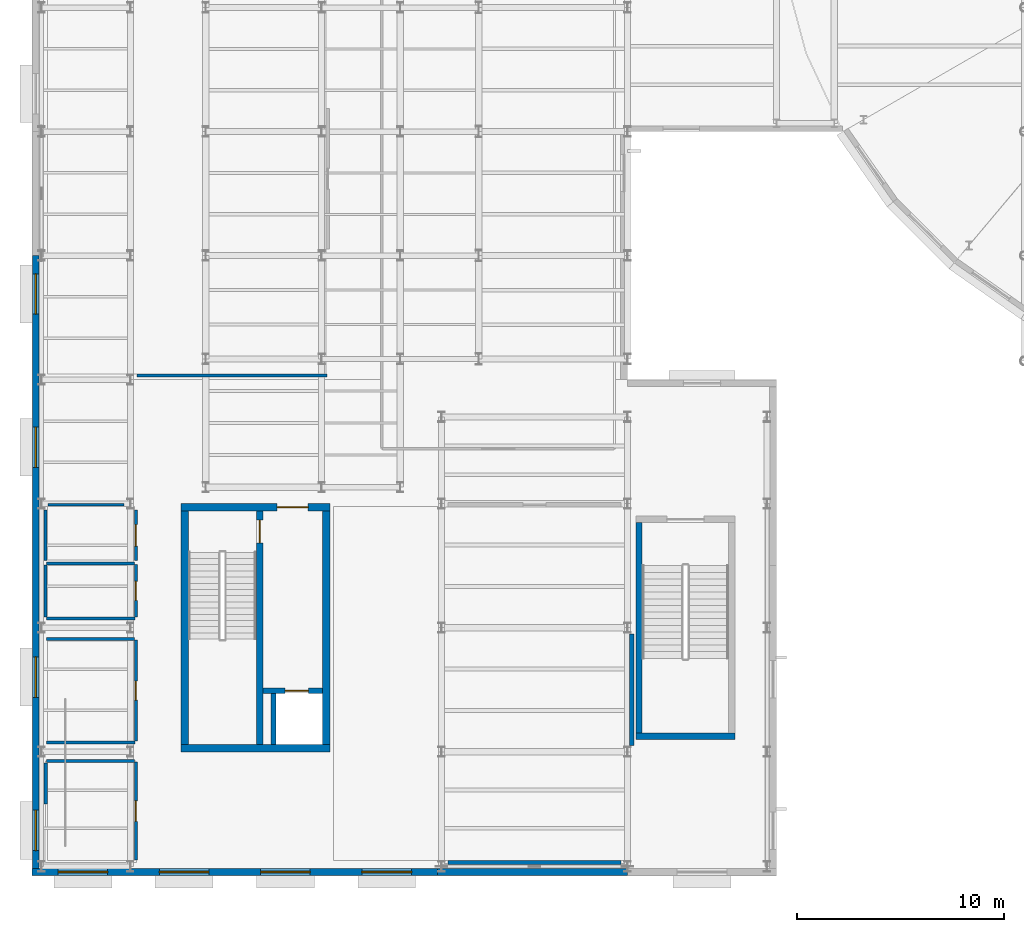
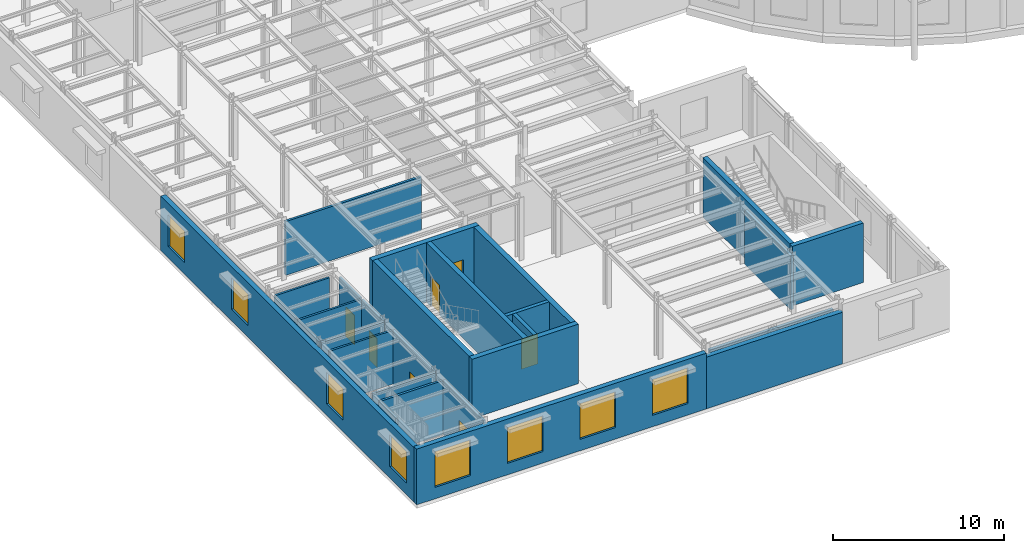
# One storey, part 63 of 91: 28 walls, 8 windows, 7 doors, 15 openings.
"""IFC4 building model written with IfcOpenShell, lengths in metres."""

from ifc_helpers import new_model, si_unit, direction, frame, frame_2d, origin, place, context, subcontext, project, spatial, rectangle, extrude, material, layer, layer_set, type_object, element, fill, save


model = new_model("IFC4")

# Units and contexts
model_context = context("Model", 3, precision=1e-05, world=origin(), true_north=direction((0.0, 1.0)))
body_context = subcontext(model_context, "Body", "Model", "MODEL_VIEW")
ifc_project = project(units=[si_unit("LENGTHUNIT", "METRE"), si_unit("AREAUNIT", "SQUARE_METRE"), si_unit("VOLUMEUNIT", "CUBIC_METRE"), si_unit("PLANEANGLEUNIT", "RADIAN"), si_unit("MASSUNIT", "GRAM", prefix="KILO")], contexts=[model_context])

# Site, building, storey
site_placement = place(None, origin())
site = spatial("IfcSite", under=ifc_project, at=site_placement, CompositionType="ELEMENT")
building_placement = place(site_placement, origin())
building = spatial("IfcBuilding", under=site, at=building_placement, Name="Kolvaren Corner Interchange", CompositionType="ELEMENT")
storey_placement = place(building_placement, frame((0.0, 0.0, 6.0)))
storey = spatial("IfcBuildingStorey", under=building, at=storey_placement, Name="L02", CompositionType="ELEMENT", Elevation=6.0)

# Wall
ifc_material_1 = material(Name="Concrete C35/45", Category="concrete")
ifc_layer_1 = layer(ifc_material_1, 0.35009765625)
ifc_layer_set_1 = layer_set([ifc_layer_1], Name="Concrete C35/45")
wall_type_1 = type_object("IfcWallType", Name="WL-CORE-350", PredefinedType="SHEAR", material=ifc_layer_set_1)
wall_1_placement = place(storey_placement, frame((7.199951171875, 6.175048828125, 0.0), z_axis=(0.0, 0.0, 1.0), x_axis=(1.0, 0.0, 0.0)))
element("IfcWall", 1, at=wall_1_placement, inside=storey, type_object=wall_type_1, Name="Core C1 L02 South Shear Wall", PredefinedType="SHEAR", context=body_context, shape_type="SweptSolid", body=[
    extrude(rectangle(XDim=7.199951171875, YDim=0.35009765625, at=frame_2d((3.60009765625, 0.0))), origin(), (0.0, 0.0, 1.0), 4.25),
])

# Wall, opening, door
wall_2_placement = place(storey_placement, frame((7.199951171875, 17.824951171875, 0.0), z_axis=(0.0, 0.0, 1.0), x_axis=(1.0, 0.0, 0.0)))
wall_2 = element("IfcWall", 2, at=wall_2_placement, inside=storey, type_object=wall_type_1, Name="Core C1 L02 North Shear Wall", PredefinedType="SHEAR", context=body_context, shape_type="SweptSolid", body=[
    extrude(rectangle(XDim=7.199951171875, YDim=0.35009765625, at=frame_2d((3.60009765625, 0.0))), origin(), (0.0, 0.0, 1.0), 4.25),
])
opening_1_placement = place(wall_2_placement, frame((4.64990234375, 0.0, 0.0)))
opening_1 = element("IfcOpeningElement", 3, at=opening_1_placement, cuts=wall_2, Name="Opening D-F02", PredefinedType="OPENING", context=body_context, shape_type="SweptSolid", body=[
    extrude(rectangle(XDim=1.5, YDim=2.14990234375, at=frame_2d((0.75, 1.074951171875))), frame((0.0, 0.18505859375, 0.0), z_axis=(0.0, -1.0, 0.0), x_axis=(1.0, 0.0, 0.0)), (0.0, 0.0, 1.0), 0.3701171875),
])
ifc_material_2 = material(Name="Powder-coated Fire-rated Steel Sheet", Category="steel")
door_type_1 = type_object("IfcDoorType", Name="DT-FD-1500x2150", OperationType="NOTDEFINED", PredefinedType="DOOR", material=ifc_material_2)
door_1_placement = place(opening_1_placement, origin())
door_1 = element("IfcDoor", 4, at=door_1_placement, inside=storey, type_object=door_type_1, Name="Core C1 L02 Firefighting Lobby Corridor Exit Door", OperationType="DOUBLE_DOOR_SINGLE_SWING", OverallHeight=2.14990234375, OverallWidth=1.5, PredefinedType="DOOR", context=body_context, shape_type="SweptSolid", body=[
    extrude(rectangle(XDim=1.5, YDim=2.14990234375, at=frame_2d((0.75, 1.074951171875))), frame((0.0, 0.02490234375, 0.0), z_axis=(0.0, -1.0, 0.0), x_axis=(1.0, 0.0, 0.0)), (0.0, 0.0, 1.0), 0.050048828125),
])
fill(opening_1, door_1)

# Walls
for number, where, z_axis, x_axis, name in (
    (5, (7.375, 6.35009765625, 0.0), (0.0, 0.0, 1.0), (0.0, 1.0, 0.0), "Core C1 L02 West Shear Wall"),
    (6, (14.22509765625, 6.35009765625, 0.0), (0.0, 0.0, 1.0), (0.0, 1.0, 0.0), "Core C1 L02 East Shear Wall"),
):
    element("IfcWall", number, at=place(storey_placement, frame(where, z_axis=z_axis, x_axis=x_axis)), inside=storey, type_object=wall_type_1, Name=name, PredefinedType="SHEAR", context=body_context, shape_type="SweptSolid", body=[
        extrude(rectangle(XDim=11.2998046875, YDim=0.35009765625, at=frame_2d((5.64990234375, 0.0))), origin(), (0.0, 0.0, 1.0), 4.25),
    ])

# Wall, opening, door
ifc_material_3 = material(Name="Concrete C35/45", Category="concrete")
ifc_layer_2 = layer(ifc_material_3, 0.31005859375)
ifc_layer_set_2 = layer_set([ifc_layer_2], Name="Concrete C35/45")
wall_type_2 = type_object("IfcWallType", Name="WL-STAIR-300", PredefinedType="SHEAR", material=ifc_layer_set_2)
wall_3_placement = place(storey_placement, frame((11.0, 6.35009765625, 0.0), z_axis=(0.0, 0.0, 1.0), x_axis=(0.0, 1.0, 0.0)))
wall_3 = element("IfcWall", 7, at=wall_3_placement, inside=storey, type_object=wall_type_2, Name="Core C1 L02 Firefighting Stairwell Divider Wall", PredefinedType="SHEAR", context=body_context, shape_type="SweptSolid", body=[
    extrude(rectangle(XDim=11.2998046875, YDim=0.31005859375, at=frame_2d((5.64990234375, 0.0))), origin(), (0.0, 0.0, 1.0), 4.25),
])
opening_2_placement = place(wall_3_placement, frame((9.75, 0.0, 0.0)))
opening_2 = element("IfcOpeningElement", 8, at=opening_2_placement, cuts=wall_3, Name="Opening D-F03", PredefinedType="OPENING", context=body_context, shape_type="SweptSolid", body=[
    extrude(rectangle(XDim=1.10009765625, YDim=2.14990234375, at=frame_2d((0.550048828125, 1.074951171875))), frame((0.0, 0.1650390625, 0.0), z_axis=(0.0, -1.0, 0.0), x_axis=(1.0, 0.0, 0.0)), (0.0, 0.0, 1.0), 0.330078125),
])
ifc_material_4 = material(Name="Powder-coated Fire-rated Steel Sheet", Category="steel")
door_type_2 = type_object("IfcDoorType", Name="DT-FD-1100x2150", OperationType="NOTDEFINED", PredefinedType="DOOR", material=ifc_material_4)
door_2_placement = place(opening_2_placement, origin())
door_2 = element("IfcDoor", 9, at=door_2_placement, inside=storey, type_object=door_type_2, Name="Core C1 Southwest Firefighting Stair L02 Protected Exit Door", OperationType="SINGLE_SWING_RIGHT", OverallHeight=2.14990234375, OverallWidth=1.10009765625, PredefinedType="DOOR", context=body_context, shape_type="SweptSolid", body=[
    extrude(rectangle(XDim=1.10009765625, YDim=2.14990234375, at=frame_2d((0.550048828125, 1.074951171875))), frame((0.0, 0.02490234375, 0.0), z_axis=(0.0, -1.0, 0.0), x_axis=(1.0, 0.0, 0.0)), (0.0, 0.0, 1.0), 0.050048828125),
])
fill(opening_2, door_2)

# Walls
wall_4_placement = place(storey_placement, frame((29.199951171875, 6.7548828125, 0.0), z_axis=(0.0, 0.0, 1.0), x_axis=(1.0, 0.0, 0.0)))
element("IfcWall", 10, at=wall_4_placement, inside=storey, type_object=wall_type_2, Name="Operations South Bar Protected Exit Stair L02 South Enclosure Wall", PredefinedType="SHEAR", context=body_context, shape_type="SweptSolid", body=[
    extrude(rectangle(XDim=4.800048828125, YDim=0.31005859375, at=frame_2d((2.39990234375, 0.0))), origin(), (0.0, 0.0, 1.0), 4.25),
])
wall_5_placement = place(storey_placement, frame((29.35498046875, 6.909912109375, 0.0), z_axis=(0.0, 0.0, 1.0), x_axis=(0.0, 1.0, 0.0)))
element("IfcWall", 11, at=wall_5_placement, inside=storey, type_object=wall_type_2, Name="Operations South Bar Protected Exit Stair L02 West Enclosure Wall", PredefinedType="SHEAR", context=body_context, shape_type="SweptSolid", body=[
    extrude(rectangle(XDim=10.18017578125, YDim=0.31005859375, at=frame_2d((5.090087890625, 0.0))), origin(), (0.0, 0.0, 1.0), 4.25),
])

# Wall, openings, windows
ifc_material_5 = material(Name="Cream Architectural Terracotta Rainscreen Assembly", Category="masonry")
ifc_layer_3 = layer(ifc_material_5, 0.330078125)
ifc_layer_set_3 = layer_set([ifc_layer_3], Name="Cream Architectural Terracotta Rainscreen Assembly")
wall_type_3 = type_object("IfcWallType", Name="WT-EXT-TC320", PredefinedType="SOLIDWALL", material=ifc_layer_set_3)
wall_6_placement = place(storey_placement, frame((0.0, 0.179931640625, 0.0), z_axis=(0.0, 0.0, 1.0), x_axis=(1.0, 0.0, 0.0)))
wall_6 = element("IfcWall", 12, at=wall_6_placement, inside=storey, type_object=wall_type_3, Name="Operations Boulevard South Facade Wall 0013", PredefinedType="SOLIDWALL", context=body_context, shape_type="SweptSolid", body=[
    extrude(rectangle(XDim=19.60009765625, YDim=0.330078125, at=frame_2d((9.800048828125, 0.0))), origin(), (0.0, 0.0, 1.0), 3.985107421875),
])
opening_3_placement = place(wall_6_placement, frame((1.25, 0.0, 0.820068359375)))
opening_3 = element("IfcOpeningElement", 13, at=opening_3_placement, cuts=wall_6, Name="Opening W-01", PredefinedType="OPENING", context=body_context, shape_type="SweptSolid", body=[
    extrude(rectangle(XDim=2.39990234375, YDim=2.550048828125, at=frame_2d((1.199951171875, 1.27490234375))), frame((0.0, 0.175048828125, 0.0), z_axis=(0.0, -1.0, 0.0), x_axis=(1.0, 0.0, 0.0)), (0.0, 0.0, 1.0), 0.35009765625),
])
opening_4_placement = place(wall_6_placement, frame((6.14990234375, 0.0, 0.820068359375)))
opening_4 = element("IfcOpeningElement", 14, at=opening_4_placement, cuts=wall_6, Name="Opening W-01", PredefinedType="OPENING", context=body_context, shape_type="SweptSolid", body=[
    extrude(rectangle(XDim=2.39990234375, YDim=2.550048828125, at=frame_2d((1.199951171875, 1.27490234375))), frame((0.0, 0.175048828125, 0.0), z_axis=(0.0, -1.0, 0.0), x_axis=(1.0, 0.0, 0.0)), (0.0, 0.0, 1.0), 0.35009765625),
])
opening_5_placement = place(wall_6_placement, frame((11.050048828125, 0.0, 0.820068359375)))
opening_5 = element("IfcOpeningElement", 15, at=opening_5_placement, cuts=wall_6, Name="Opening W-01", PredefinedType="OPENING", context=body_context, shape_type="SweptSolid", body=[
    extrude(rectangle(XDim=2.39990234375, YDim=2.550048828125, at=frame_2d((1.199951171875, 1.27490234375))), frame((0.0, 0.175048828125, 0.0), z_axis=(0.0, -1.0, 0.0), x_axis=(1.0, 0.0, 0.0)), (0.0, 0.0, 1.0), 0.35009765625),
])
opening_6_placement = place(wall_6_placement, frame((15.949951171875, 0.0, 0.820068359375)))
opening_6 = element("IfcOpeningElement", 16, at=opening_6_placement, cuts=wall_6, Name="Opening W-01", PredefinedType="OPENING", context=body_context, shape_type="SweptSolid", body=[
    extrude(rectangle(XDim=2.39990234375, YDim=2.550048828125, at=frame_2d((1.199951171875, 1.27490234375))), frame((0.0, 0.175048828125, 0.0), z_axis=(0.0, -1.0, 0.0), x_axis=(1.0, 0.0, 0.0)), (0.0, 0.0, 1.0), 0.35009765625),
])
ifc_material_6 = material(Name="Thermally Broken Aluminium and Solar-Control Double Glazing", Category="aluminium")
window_type_1 = type_object("IfcWindowType", Name="WT-CHI-2400x2600", PartitioningType="TRIPLE_PANEL_HORIZONTAL", PredefinedType="WINDOW", material=ifc_material_6)
window_1_placement = place(opening_3_placement, origin())
window_1 = element("IfcWindow", 17, at=window_1_placement, inside=storey, type_object=window_type_1, Name="L02 Operations Boulevard South Facade Window 0028", OverallHeight=2.550048828125, OverallWidth=2.39990234375, PartitioningType="SINGLE_PANEL", PredefinedType="WINDOW", context=body_context, shape_type="SweptSolid", body=[
    extrude(rectangle(XDim=2.39990234375, YDim=2.550048828125, at=frame_2d((1.199951171875, 1.27490234375))), frame((0.0, 0.030029296875, 0.0), z_axis=(0.0, -1.0, 0.0), x_axis=(1.0, 0.0, 0.0)), (0.0, 0.0, 1.0), 0.06005859375),
])
fill(opening_3, window_1)
window_2_placement = place(opening_4_placement, origin())
window_2 = element("IfcWindow", 18, at=window_2_placement, inside=storey, type_object=window_type_1, Name="L02 Operations Boulevard South Facade Window 0029", OverallHeight=2.550048828125, OverallWidth=2.39990234375, PartitioningType="SINGLE_PANEL", PredefinedType="WINDOW", context=body_context, shape_type="SweptSolid", body=[
    extrude(rectangle(XDim=2.39990234375, YDim=2.550048828125, at=frame_2d((1.199951171875, 1.27490234375))), frame((0.0, 0.030029296875, 0.0), z_axis=(0.0, -1.0, 0.0), x_axis=(1.0, 0.0, 0.0)), (0.0, 0.0, 1.0), 0.06005859375),
])
fill(opening_4, window_2)
window_3_placement = place(opening_5_placement, origin())
window_3 = element("IfcWindow", 19, at=window_3_placement, inside=storey, type_object=window_type_1, Name="L02 Operations Boulevard South Facade Window 0030", OverallHeight=2.550048828125, OverallWidth=2.39990234375, PartitioningType="SINGLE_PANEL", PredefinedType="WINDOW", context=body_context, shape_type="SweptSolid", body=[
    extrude(rectangle(XDim=2.39990234375, YDim=2.550048828125, at=frame_2d((1.199951171875, 1.27490234375))), frame((0.0, 0.030029296875, 0.0), z_axis=(0.0, -1.0, 0.0), x_axis=(1.0, 0.0, 0.0)), (0.0, 0.0, 1.0), 0.06005859375),
])
fill(opening_5, window_3)
window_4_placement = place(opening_6_placement, origin())
window_4 = element("IfcWindow", 20, at=window_4_placement, inside=storey, type_object=window_type_1, Name="L02 Operations Boulevard South Facade Window 0031", OverallHeight=2.550048828125, OverallWidth=2.39990234375, PartitioningType="SINGLE_PANEL", PredefinedType="WINDOW", context=body_context, shape_type="SweptSolid", body=[
    extrude(rectangle(XDim=2.39990234375, YDim=2.550048828125, at=frame_2d((1.199951171875, 1.27490234375))), frame((0.0, 0.030029296875, 0.0), z_axis=(0.0, -1.0, 0.0), x_axis=(1.0, 0.0, 0.0)), (0.0, 0.0, 1.0), 0.06005859375),
])
fill(opening_6, window_4)

# Wall
wall_7_placement = place(storey_placement, frame((19.60009765625, 0.179931640625, 0.0), z_axis=(0.0, 0.0, 1.0), x_axis=(1.0, 0.0, 0.0)))
element("IfcWall", 21, at=wall_7_placement, inside=storey, type_object=wall_type_3, Name="Operations Boulevard South Facade Wall 0014", PredefinedType="SOLIDWALL", context=body_context, shape_type="SweptSolid", body=[
    extrude(rectangle(XDim=9.199951171875, YDim=0.330078125, at=frame_2d((4.60009765625, 0.0))), origin(), (0.0, 0.0, 1.0), 3.695068359375),
])

# Wall, openings, windows
wall_8_placement = place(storey_placement, frame((0.169921875, 30.0, 0.0), z_axis=(0.0, 0.0, 1.0), x_axis=(0.0, -1.0, 0.0)))
wall_8 = element("IfcWall", 22, at=wall_8_placement, inside=storey, type_object=wall_type_3, Name="Operations Trelmava Street West Facade Wall 0024", PredefinedType="SOLIDWALL", context=body_context, shape_type="SweptSolid", body=[
    extrude(rectangle(XDim=29.655029296875, YDim=0.330078125, at=frame_2d((14.82763671875, 0.0))), origin(), (0.0, 0.0, 1.0), 3.885009765625),
])
opening_7_placement = place(wall_8_placement, frame((0.87841796875, 0.0, 0.820068359375)))
opening_7 = element("IfcOpeningElement", 23, at=opening_7_placement, cuts=wall_8, Name="Opening W-20", PredefinedType="OPENING", context=body_context, shape_type="SweptSolid", body=[
    extrude(rectangle(XDim=1.949951171875, YDim=2.25, at=frame_2d((0.97509765625, 1.125))), frame((0.0, 0.175048828125, 0.0), z_axis=(0.0, -1.0, 0.0), x_axis=(1.0, 0.0, 0.0)), (0.0, 0.0, 1.0), 0.35009765625),
])
opening_8_placement = place(wall_8_placement, frame((8.292236328125, 0.0, 0.820068359375)))
opening_8 = element("IfcOpeningElement", 24, at=opening_8_placement, cuts=wall_8, Name="Opening W-20", PredefinedType="OPENING", context=body_context, shape_type="SweptSolid", body=[
    extrude(rectangle(XDim=1.949951171875, YDim=2.25, at=frame_2d((0.97509765625, 1.125))), frame((0.0, 0.175048828125, 0.0), z_axis=(0.0, -1.0, 0.0), x_axis=(1.0, 0.0, 0.0)), (0.0, 0.0, 1.0), 0.35009765625),
])
opening_9_placement = place(wall_8_placement, frame((19.412841796875, 0.0, 0.820068359375)))
opening_9 = element("IfcOpeningElement", 25, at=opening_9_placement, cuts=wall_8, Name="Opening W-20", PredefinedType="OPENING", context=body_context, shape_type="SweptSolid", body=[
    extrude(rectangle(XDim=1.949951171875, YDim=2.25, at=frame_2d((0.97509765625, 1.125))), frame((0.0, 0.175048828125, 0.0), z_axis=(0.0, -1.0, 0.0), x_axis=(1.0, 0.0, 0.0)), (0.0, 0.0, 1.0), 0.35009765625),
])
opening_10_placement = place(wall_8_placement, frame((26.82666015625, 0.0, 0.820068359375)))
opening_10 = element("IfcOpeningElement", 26, at=opening_10_placement, cuts=wall_8, Name="Opening W-20", PredefinedType="OPENING", context=body_context, shape_type="SweptSolid", body=[
    extrude(rectangle(XDim=1.949951171875, YDim=2.25, at=frame_2d((0.97509765625, 1.125))), frame((0.0, 0.175048828125, 0.0), z_axis=(0.0, -1.0, 0.0), x_axis=(1.0, 0.0, 0.0)), (0.0, 0.0, 1.0), 0.35009765625),
])
ifc_material_7 = material(Name="Thermally Broken Aluminium and Solar-Control Double Glazing", Category="aluminium")
window_type_2 = type_object("IfcWindowType", Name="WT-CHI-1950x2250", PartitioningType="DOUBLE_PANEL_VERTICAL", PredefinedType="WINDOW", material=ifc_material_7)
window_5_placement = place(opening_7_placement, origin())
window_5 = element("IfcWindow", 27, at=window_5_placement, inside=storey, type_object=window_type_2, Name="L02 Operations Trelmava Street West Facade Window 0053", OverallHeight=2.25, OverallWidth=1.949951171875, PartitioningType="SINGLE_PANEL", PredefinedType="WINDOW", context=body_context, shape_type="SweptSolid", body=[
    extrude(rectangle(XDim=1.949951171875, YDim=2.25, at=frame_2d((0.97509765625, 1.125))), frame((0.0, 0.030029296875, 0.0), z_axis=(0.0, -1.0, 0.0), x_axis=(1.0, 0.0, 0.0)), (0.0, 0.0, 1.0), 0.06005859375),
])
fill(opening_7, window_5)
window_6_placement = place(opening_8_placement, origin())
window_6 = element("IfcWindow", 28, at=window_6_placement, inside=storey, type_object=window_type_2, Name="L02 Operations Trelmava Street West Facade Window 0054", OverallHeight=2.25, OverallWidth=1.949951171875, PartitioningType="SINGLE_PANEL", PredefinedType="WINDOW", context=body_context, shape_type="SweptSolid", body=[
    extrude(rectangle(XDim=1.949951171875, YDim=2.25, at=frame_2d((0.97509765625, 1.125))), frame((0.0, 0.030029296875, 0.0), z_axis=(0.0, -1.0, 0.0), x_axis=(1.0, 0.0, 0.0)), (0.0, 0.0, 1.0), 0.06005859375),
])
fill(opening_8, window_6)
window_7_placement = place(opening_9_placement, origin())
window_7 = element("IfcWindow", 29, at=window_7_placement, inside=storey, type_object=window_type_2, Name="L02 Operations Trelmava Street West Facade Window 0055", OverallHeight=2.25, OverallWidth=1.949951171875, PartitioningType="SINGLE_PANEL", PredefinedType="WINDOW", context=body_context, shape_type="SweptSolid", body=[
    extrude(rectangle(XDim=1.949951171875, YDim=2.25, at=frame_2d((0.97509765625, 1.125))), frame((0.0, 0.030029296875, 0.0), z_axis=(0.0, -1.0, 0.0), x_axis=(1.0, 0.0, 0.0)), (0.0, 0.0, 1.0), 0.06005859375),
])
fill(opening_9, window_7)
window_8_placement = place(opening_10_placement, origin())
window_8 = element("IfcWindow", 30, at=window_8_placement, inside=storey, type_object=window_type_2, Name="L02 Operations Trelmava Street West Facade Window 0056", OverallHeight=2.25, OverallWidth=1.949951171875, PartitioningType="SINGLE_PANEL", PredefinedType="WINDOW", context=body_context, shape_type="SweptSolid", body=[
    extrude(rectangle(XDim=1.949951171875, YDim=2.25, at=frame_2d((0.97509765625, 1.125))), frame((0.0, 0.030029296875, 0.0), z_axis=(0.0, -1.0, 0.0), x_axis=(1.0, 0.0, 0.0)), (0.0, 0.0, 1.0), 0.06005859375),
])
fill(opening_10, window_8)

# Wall
ifc_material_8 = material(Name="Acoustic Double-Stud Drywall Partition")
ifc_layer_4 = layer(ifc_material_8, 0.159912109375)
ifc_layer_set_4 = layer_set([ifc_layer_4], Name="Acoustic Double-Stud Drywall Partition")
wall_type_4 = type_object("IfcWallType", Name="WT-PART-AC160", PredefinedType="PARTITIONING", material=ifc_layer_set_4)
wall_9_placement = place(storey_placement, frame((5.06005859375, 24.199951171875, 0.0), z_axis=(0.0, 0.0, 1.0), x_axis=(1.0, 0.0, 0.0)))
element("IfcWall", 31, at=wall_9_placement, inside=storey, type_object=wall_type_4, Name="L02 Driver Quiet Rest Suites Partition Wall 098", PredefinedType="PARTITIONING", context=body_context, shape_type="SweptSolid", body=[
    extrude(rectangle(XDim=9.18994140625, YDim=0.159912109375, at=frame_2d((4.594970703125, 0.0))), origin(), (0.0, 0.0, 1.0), 3.844970703125),
])

# Wall, opening, door
wall_10_placement = place(storey_placement, frame((5.02001953125, 0.760009765625, 0.0), z_axis=(0.0, 0.0, 1.0), x_axis=(0.0, 1.0, 0.0)))
wall_10 = element("IfcWall", 32, at=wall_10_placement, inside=storey, type_object=wall_type_4, Name="L02 Driver Briefing Room Partition Wall 107", PredefinedType="PARTITIONING", context=body_context, shape_type="SweptSolid", body=[
    extrude(rectangle(XDim=4.739990234375, YDim=0.159912109375, at=frame_2d((2.3701171875, 0.0))), origin(), (0.0, 0.0, 1.0), 3.844970703125),
])
opening_11_placement = place(wall_10_placement, frame((1.8701171875, 0.0, 0.0)))
opening_11 = element("IfcOpeningElement", 33, at=opening_11_placement, cuts=wall_10, Name="Opening D-F04", PredefinedType="OPENING", context=body_context, shape_type="SweptSolid", body=[
    extrude(rectangle(XDim=1.0, YDim=2.14990234375, at=frame_2d((0.5, 1.074951171875))), frame((0.0, 0.08984375, 0.0), z_axis=(0.0, -1.0, 0.0), x_axis=(1.0, 0.0, 0.0)), (0.0, 0.0, 1.0), 0.179931640625),
])
ifc_material_9 = material(Name="Solid-Core Iroko Timber Fire Door", Category="wood")
door_type_3 = type_object("IfcDoorType", Name="DT-FD-1000x2150", OperationType="NOTDEFINED", PredefinedType="DOOR", material=ifc_material_9)
door_3_placement = place(opening_11_placement, origin())
door_3 = element("IfcDoor", 34, at=door_3_placement, inside=storey, type_object=door_type_3, Name="L02 Driver Briefing Room Door", OperationType="SINGLE_SWING_LEFT", OverallHeight=2.14990234375, OverallWidth=1.0, PredefinedType="DOOR", context=body_context, shape_type="SweptSolid", body=[
    extrude(rectangle(XDim=1.0, YDim=2.14990234375, at=frame_2d((0.5, 1.074951171875))), frame((0.0, 0.02490234375, 0.0), z_axis=(0.0, -1.0, 0.0), x_axis=(1.0, 0.0, 0.0)), (0.0, 0.0, 1.0), 0.050048828125),
])
fill(opening_11, door_3)

# Walls
wall_11_placement = place(storey_placement, frame((4.93798828125, 5.550048828125, 0.0), z_axis=(0.0, 0.0, 1.0), x_axis=(-1.0, 0.0, 0.0)))
element("IfcWall", 35, at=wall_11_placement, inside=storey, type_object=wall_type_4, Name="L02 Driver Briefing Room Partition Wall 108", PredefinedType="PARTITIONING", context=body_context, shape_type="SweptSolid", body=[
    extrude(rectangle(XDim=4.238037109375, YDim=0.159912109375, at=frame_2d((2.119140625, 0.0))), origin(), (0.0, 0.0, 1.0), 3.844970703125),
])
wall_12_placement = place(storey_placement, frame((0.64990234375, 5.468017578125, 0.0), z_axis=(0.0, 0.0, 1.0), x_axis=(0.0, -1.0, 0.0)))
element("IfcWall", 36, at=wall_12_placement, inside=storey, type_object=wall_type_4, Name="L02 Driver Briefing Room Partition Wall 109", PredefinedType="PARTITIONING", context=body_context, shape_type="SweptSolid", body=[
    extrude(rectangle(XDim=1.99462890625, YDim=0.159912109375, at=frame_2d((0.997314453125, 0.0))), origin(), (0.0, 0.0, 1.0), 3.885009765625),
])
ifc_material_10 = material(Name="Fire-Rated Gypsum Block Partition")
ifc_layer_5 = layer(ifc_material_10, 0.199951171875)
ifc_layer_set_5 = layer_set([ifc_layer_5], Name="Fire-Rated Gypsum Block Partition")
wall_type_5 = type_object("IfcWallType", Name="WT-PART-FR200", PredefinedType="PARTITIONING", material=ifc_layer_set_5)
wall_13_placement = place(storey_placement, frame((20.110107421875, 0.64990234375, 0.0), z_axis=(0.0, 0.0, 1.0), x_axis=(1.0, 0.0, 0.0)))
element("IfcWall", 37, at=wall_13_placement, inside=storey, type_object=wall_type_5, Name="L02 Canteen Servery and Kitchen Partition Wall 095", PredefinedType="PARTITIONING", context=body_context, shape_type="SweptSolid", body=[
    extrude(rectangle(XDim=8.3798828125, YDim=0.199951171875, at=frame_2d((4.18994140625, 0.0))), origin(), (0.0, 0.0, 1.0), 3.695068359375),
])
wall_14_placement = place(storey_placement, frame((29.0, 6.31005859375, 0.0), z_axis=(0.0, 0.0, 1.0), x_axis=(0.0, 1.0, 0.0)))
element("IfcWall", 38, at=wall_14_placement, inside=storey, type_object=wall_type_5, Name="L02 Canteen Servery and Kitchen Partition Wall 096", PredefinedType="PARTITIONING", context=body_context, shape_type="SweptSolid", body=[
    extrude(rectangle(XDim=5.3798828125, YDim=0.199951171875, at=frame_2d((2.68994140625, 0.0))), origin(), (0.0, 0.0, 1.0), 3.844970703125),
])
ifc_material_11 = material(Name="Moisture-Resistant Ceramic Tile Partition")
ifc_layer_6 = layer(ifc_material_11, 0.139892578125)
ifc_layer_set_6 = layer_set([ifc_layer_6], Name="Moisture-Resistant Ceramic Tile Partition")
wall_type_6 = type_object("IfcWallType", Name="WT-PART-WC140", PredefinedType="PARTITIONING", material=ifc_layer_set_6)
wall_15_placement = place(storey_placement, frame((0.699951171875, 6.449951171875, 0.0), z_axis=(0.0, 0.0, 1.0), x_axis=(1.0, 0.0, 0.0)))
element("IfcWall", 39, at=wall_15_placement, inside=storey, type_object=wall_type_6, Name="L02 Male WC Partition Wall 110", PredefinedType="PARTITIONING", context=body_context, shape_type="SweptSolid", body=[
    extrude(rectangle(XDim=4.27001953125, YDim=0.139892578125, at=frame_2d((2.135009765625, 0.0))), origin(), (0.0, 0.0, 1.0), 3.844970703125),
])

# Wall, opening, door
wall_16_placement = place(storey_placement, frame((5.02001953125, 6.52197265625, 0.0), z_axis=(0.0, 0.0, 1.0), x_axis=(0.0, 1.0, 0.0)))
wall_16 = element("IfcWall", 40, at=wall_16_placement, inside=storey, type_object=wall_type_6, Name="L02 Male WC Partition Wall 111", PredefinedType="PARTITIONING", context=body_context, shape_type="SweptSolid", body=[
    extrude(rectangle(XDim=4.8779296875, YDim=0.139892578125, at=frame_2d((2.43896484375, 0.0))), origin(), (0.0, 0.0, 1.0), 3.844970703125),
])
opening_12_placement = place(wall_16_placement, frame((1.97900390625, 0.0, 0.0)))
opening_12 = element("IfcOpeningElement", 41, at=opening_12_placement, cuts=wall_16, Name="Opening D-I04", PredefinedType="OPENING", context=body_context, shape_type="SweptSolid", body=[
    extrude(rectangle(XDim=0.919921875, YDim=2.080078125, at=frame_2d((0.4599609375, 1.0400390625))), frame((0.0, 0.079833984375, 0.0), z_axis=(0.0, -1.0, 0.0), x_axis=(1.0, 0.0, 0.0)), (0.0, 0.0, 1.0), 0.159912109375),
])
ifc_material_12 = material(Name="Moisture-Resistant Laminate Timber Door", Category="wood")
door_type_4 = type_object("IfcDoorType", Name="DT-WC-920x2100", OperationType="NOTDEFINED", PredefinedType="DOOR", material=ifc_material_12)
door_4_placement = place(opening_12_placement, origin())
door_4 = element("IfcDoor", 42, at=door_4_placement, inside=storey, type_object=door_type_4, Name="L02 Male WC Door", OperationType="SINGLE_SWING_RIGHT", OverallHeight=2.080078125, OverallWidth=0.919921875, PredefinedType="DOOR", context=body_context, shape_type="SweptSolid", body=[
    extrude(rectangle(XDim=0.919921875, YDim=2.080078125, at=frame_2d((0.4599609375, 1.0400390625))), frame((0.0, 0.02490234375, 0.0), z_axis=(0.0, -1.0, 0.0), x_axis=(1.0, 0.0, 0.0)), (0.0, 0.0, 1.0), 0.050048828125),
])
fill(opening_12, door_4)

# Walls
wall_17_placement = place(storey_placement, frame((4.947998046875, 11.449951171875, 0.0), z_axis=(0.0, 0.0, 1.0), x_axis=(-1.0, 0.0, 0.0)))
element("IfcWall", 43, at=wall_17_placement, inside=storey, type_object=wall_type_6, Name="L02 Male WC Partition Wall 112", PredefinedType="PARTITIONING", context=body_context, shape_type="SweptSolid", body=[
    extrude(rectangle(XDim=4.248046875, YDim=0.139892578125, at=frame_2d((2.1240234375, 0.0))), origin(), (0.0, 0.0, 1.0), 3.844970703125),
])
wall_18_placement = place(storey_placement, frame((0.699951171875, 12.449951171875, 0.0), z_axis=(0.0, 0.0, 1.0), x_axis=(1.0, 0.0, 0.0)))
element("IfcWall", 44, at=wall_18_placement, inside=storey, type_object=wall_type_6, Name="L02 Female WC Partition Wall 113", PredefinedType="PARTITIONING", context=body_context, shape_type="SweptSolid", body=[
    extrude(rectangle(XDim=4.27001953125, YDim=0.139892578125, at=frame_2d((2.135009765625, 0.0))), origin(), (0.0, 0.0, 1.0), 3.844970703125),
])

# Wall, opening, door
wall_19_placement = place(storey_placement, frame((5.02001953125, 12.52197265625, 0.0), z_axis=(0.0, 0.0, 1.0), x_axis=(0.0, 1.0, 0.0)))
wall_19 = element("IfcWall", 45, at=wall_19_placement, inside=storey, type_object=wall_type_6, Name="L02 Female WC Partition Wall 114", PredefinedType="PARTITIONING", context=body_context, shape_type="SweptSolid", body=[
    extrude(rectangle(XDim=2.528076171875, YDim=0.139892578125, at=frame_2d((1.26416015625, 0.0))), origin(), (0.0, 0.0, 1.0), 3.844970703125),
])
opening_13_placement = place(wall_19_placement, frame((0.803955078125, 0.0, 0.0)))
opening_13 = element("IfcOpeningElement", 46, at=opening_13_placement, cuts=wall_19, Name="Opening D-I04", PredefinedType="OPENING", context=body_context, shape_type="SweptSolid", body=[
    extrude(rectangle(XDim=0.919921875, YDim=2.080078125, at=frame_2d((0.4599609375, 1.0400390625))), frame((0.0, 0.079833984375, 0.0), z_axis=(0.0, -1.0, 0.0), x_axis=(1.0, 0.0, 0.0)), (0.0, 0.0, 1.0), 0.159912109375),
])
door_5_placement = place(opening_13_placement, origin())
door_5 = element("IfcDoor", 47, at=door_5_placement, inside=storey, type_object=door_type_4, Name="L02 Female WC Door", OperationType="SINGLE_SWING_LEFT", OverallHeight=2.080078125, OverallWidth=0.919921875, PredefinedType="DOOR", context=body_context, shape_type="SweptSolid", body=[
    extrude(rectangle(XDim=0.919921875, YDim=2.080078125, at=frame_2d((0.4599609375, 1.0400390625))), frame((0.0, 0.02490234375, 0.0), z_axis=(0.0, -1.0, 0.0), x_axis=(1.0, 0.0, 0.0)), (0.0, 0.0, 1.0), 0.050048828125),
])
fill(opening_13, door_5)

# Walls
wall_20_placement = place(storey_placement, frame((4.947998046875, 15.10009765625, 0.0), z_axis=(0.0, 0.0, 1.0), x_axis=(-1.0, 0.0, 0.0)))
element("IfcWall", 48, at=wall_20_placement, inside=storey, type_object=wall_type_6, Name="L02 Female WC Partition Wall 115", PredefinedType="PARTITIONING", context=body_context, shape_type="SweptSolid", body=[
    extrude(rectangle(XDim=4.248046875, YDim=0.139892578125, at=frame_2d((2.1240234375, 0.0))), origin(), (0.0, 0.0, 1.0), 3.844970703125),
])
wall_21_placement = place(storey_placement, frame((0.64990234375, 15.028076171875, 0.0), z_axis=(0.0, 0.0, 1.0), x_axis=(0.0, -1.0, 0.0)))
element("IfcWall", 49, at=wall_21_placement, inside=storey, type_object=wall_type_6, Name="L02 Female WC Partition Wall 116", PredefinedType="PARTITIONING", context=body_context, shape_type="SweptSolid", body=[
    extrude(rectangle(XDim=2.506103515625, YDim=0.139892578125, at=frame_2d((1.2529296875, 0.0))), origin(), (0.0, 0.0, 1.0), 3.885009765625),
])

# Wall, opening, door
wall_22_placement = place(storey_placement, frame((5.02001953125, 15.25, 0.0), z_axis=(0.0, 0.0, 1.0), x_axis=(0.0, 1.0, 0.0)))
wall_22 = element("IfcWall", 50, at=wall_22_placement, inside=storey, type_object=wall_type_6, Name="L02 Accessible WC Partition Wall 117", PredefinedType="PARTITIONING", context=body_context, shape_type="SweptSolid", body=[
    extrude(rectangle(XDim=2.43994140625, YDim=0.139892578125, at=frame_2d((1.219970703125, 0.0))), origin(), (0.0, 0.0, 1.0), 3.844970703125),
])
opening_14_placement = place(wall_22_placement, frame((0.699951171875, 0.0, 0.0)))
opening_14 = element("IfcOpeningElement", 51, at=opening_14_placement, cuts=wall_22, Name="Opening D-I05", PredefinedType="OPENING", context=body_context, shape_type="SweptSolid", body=[
    extrude(rectangle(XDim=1.0400390625, YDim=2.10009765625, at=frame_2d((0.52001953125, 1.050048828125))), frame((0.0, 0.079833984375, 0.0), z_axis=(0.0, -1.0, 0.0), x_axis=(1.0, 0.0, 0.0)), (0.0, 0.0, 1.0), 0.159912109375),
])
ifc_material_13 = material(Name="Accessible Outward-Opening Timber Door", Category="wood")
door_type_5 = type_object("IfcDoorType", Name="DT-AWC-1040x2100", OperationType="NOTDEFINED", PredefinedType="DOOR", material=ifc_material_13)
door_6_placement = place(opening_14_placement, origin())
door_6 = element("IfcDoor", 52, at=door_6_placement, inside=storey, type_object=door_type_5, Name="L02 Accessible WC Door", OperationType="SINGLE_SWING_RIGHT", OverallHeight=2.10009765625, OverallWidth=1.0400390625, PredefinedType="DOOR", context=body_context, shape_type="SweptSolid", body=[
    extrude(rectangle(XDim=1.0400390625, YDim=2.10009765625, at=frame_2d((0.52001953125, 1.050048828125))), frame((0.0, 0.02490234375, 0.0), z_axis=(0.0, -1.0, 0.0), x_axis=(1.0, 0.0, 0.0)), (0.0, 0.0, 1.0), 0.050048828125),
])
fill(opening_14, door_6)

# Walls
wall_23_placement = place(storey_placement, frame((4.43994140625, 17.949951171875, 0.0), z_axis=(0.0, 0.0, 1.0), x_axis=(-1.0, 0.0, 0.0)))
element("IfcWall", 53, at=wall_23_placement, inside=storey, type_object=wall_type_6, Name="L02 Accessible WC Partition Wall 118", PredefinedType="PARTITIONING", context=body_context, shape_type="SweptSolid", body=[
    extrude(rectangle(XDim=3.679931640625, YDim=0.139892578125, at=frame_2d((1.83984375, 0.0))), origin(), (0.0, 0.0, 1.0), 3.844970703125),
])
wall_24_placement = place(storey_placement, frame((0.64990234375, 17.68994140625, 0.0), z_axis=(0.0, 0.0, 1.0), x_axis=(0.0, -1.0, 0.0)))
element("IfcWall", 54, at=wall_24_placement, inside=storey, type_object=wall_type_6, Name="L02 Accessible WC Partition Wall 119", PredefinedType="PARTITIONING", context=body_context, shape_type="SweptSolid", body=[
    extrude(rectangle(XDim=2.43994140625, YDim=0.139892578125, at=frame_2d((1.219970703125, 0.0))), origin(), (0.0, 0.0, 1.0), 3.885009765625),
])

# Wall, opening, door
ifc_material_14 = material(Name="Concrete C35/45", Category="concrete")
ifc_layer_7 = layer(ifc_material_14, 0.25)
ifc_layer_set_7 = layer_set([ifc_layer_7], Name="Concrete C35/45")
wall_type_7 = type_object("IfcWallType", Name="WT-SHAFT-RC250", PredefinedType="SHEAR", material=ifc_layer_set_7)
wall_25_placement = place(storey_placement, frame((11.155029296875, 8.949951171875, 0.0), z_axis=(0.0, 0.0, 1.0), x_axis=(1.0, 0.0, 0.0)))
wall_25 = element("IfcWall", 55, at=wall_25_placement, inside=storey, type_object=wall_type_7, Name="Core C1 L02 Firefighting Lift Front Shaft Wall", PredefinedType="SHEAR", context=body_context, shape_type="SweptSolid", body=[
    extrude(rectangle(XDim=2.89501953125, YDim=0.25, at=frame_2d((1.447509765625, 0.0))), origin(), (0.0, 0.0, 1.0), 4.25),
])
opening_15_placement = place(wall_25_placement, frame((1.0849609375, 0.0, 0.0)))
opening_15 = element("IfcOpeningElement", 56, at=opening_15_placement, cuts=wall_25, Name="Opening LD-LF-FF1-L02", PredefinedType="OPENING", context=body_context, shape_type="SweptSolid", body=[
    extrude(rectangle(XDim=1.1201171875, YDim=2.14990234375, at=frame_2d((0.56005859375, 1.074951171875))), frame((0.0, 0.135009765625, 0.0), z_axis=(0.0, -1.0, 0.0), x_axis=(1.0, 0.0, 0.0)), (0.0, 0.0, 1.0), 0.27001953125),
])
ifc_material_15 = material(Name="Brushed Stainless Steel Landing Door", Category="steel")
door_type_6 = type_object("IfcDoorType", Name="DT-LIFT-1120", OperationType="NOTDEFINED", PredefinedType="DOOR", material=ifc_material_15)
door_7_placement = place(opening_15_placement, origin())
door_7 = element("IfcDoor", 57, at=door_7_placement, inside=storey, type_object=door_type_6, Name="Firefighting Lift LF-FF1 L02 Sliding Landing Door", OperationType="SLIDING_TO_LEFT", OverallHeight=2.14990234375, OverallWidth=1.1201171875, PredefinedType="DOOR", context=body_context, shape_type="SweptSolid", body=[
    extrude(rectangle(XDim=1.1201171875, YDim=2.14990234375, at=frame_2d((0.56005859375, 1.074951171875))), frame((0.0, 0.02490234375, 0.0), z_axis=(0.0, -1.0, 0.0), x_axis=(1.0, 0.0, 0.0)), (0.0, 0.0, 1.0), 0.050048828125),
])
fill(opening_15, door_7)

# Wall
wall_26_placement = place(storey_placement, frame((11.675048828125, 6.35009765625, 0.0), z_axis=(0.0, 0.0, 1.0), x_axis=(0.0, 1.0, 0.0)))
element("IfcWall", 58, at=wall_26_placement, inside=storey, type_object=wall_type_7, Name="Core C1 L02 Firefighting Lift Side Shaft Wall", PredefinedType="SHEAR", context=body_context, shape_type="SweptSolid", body=[
    extrude(rectangle(XDim=2.474853515625, YDim=0.25, at=frame_2d((1.2373046875, 0.0))), origin(), (0.0, 0.0, 1.0), 4.25),
])

save(model, "model.ifc")
